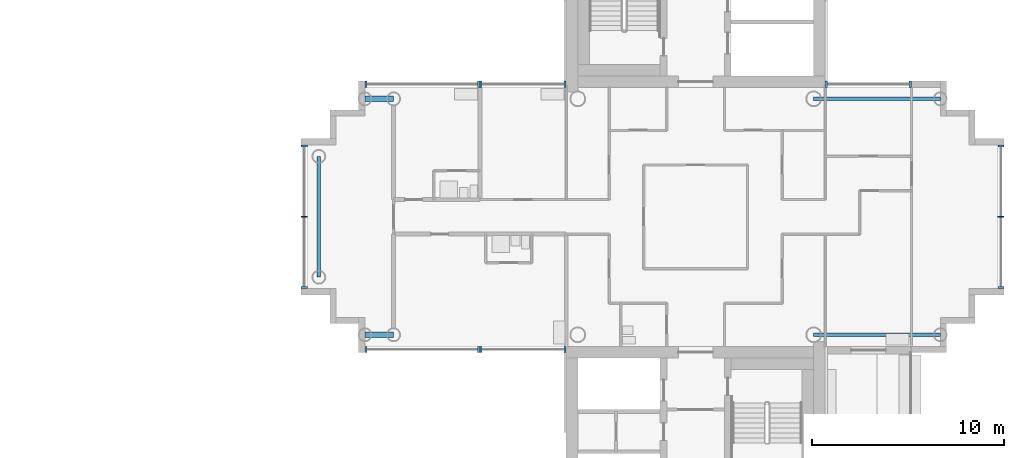
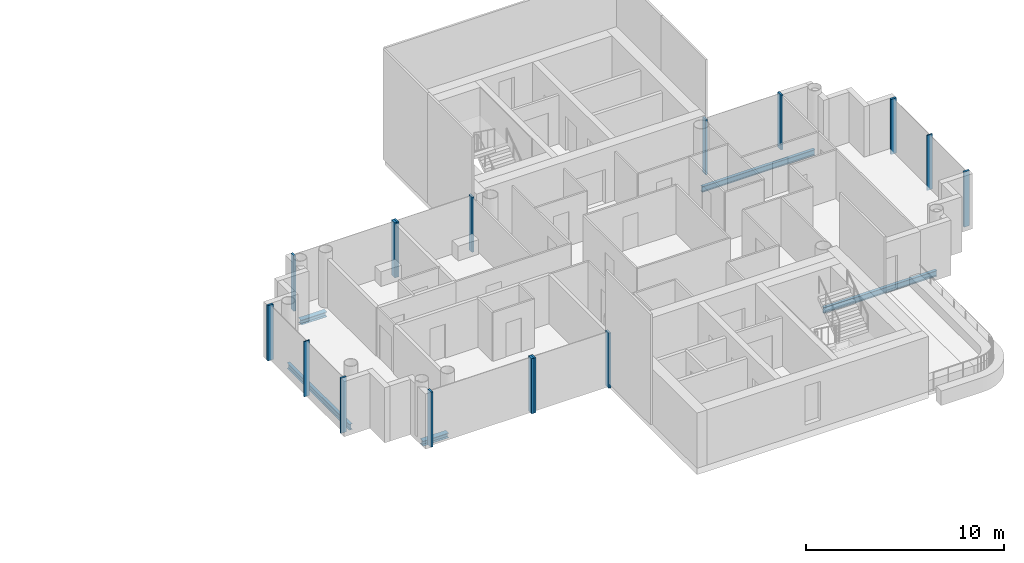
# One storey, part 4 of 18: 16 members, 5 beams, 7 elements without a shape of their own.
"""IFC4 building model written with IfcOpenShell, lengths in metres."""

from ifc_helpers import new_model, si_unit, direction, frame, origin, origin_2d, place, context, subcontext, project, spatial, rectangle, i_section, extrude, material, layer, layer_set, material_profile, profile_set, type_object, element, aggregate, save


model = new_model("IFC4")

# Units and contexts
model_context = context("Model", 3, precision=1e-05, world=origin(), true_north=direction((0.0, 1.0)))
body_context = subcontext(model_context, "Body", "Model", "MODEL_VIEW")
ifc_project = project(units=[si_unit("LENGTHUNIT", "METRE"), si_unit("AREAUNIT", "SQUARE_METRE"), si_unit("VOLUMEUNIT", "CUBIC_METRE"), si_unit("PLANEANGLEUNIT", "RADIAN"), si_unit("MASSUNIT", "GRAM", prefix="KILO")], contexts=[model_context])

# Site, building, storey
site_placement = place(None, origin())
site = spatial("IfcSite", under=ifc_project, at=site_placement, CompositionType="ELEMENT")
building_placement = place(site_placement, origin())
building = spatial("IfcBuilding", under=site, at=building_placement, Name="Ipe Terrace Towers", CompositionType="ELEMENT")
storey_placement = place(building_placement, frame((0.0, 0.0, 213.0)))
storey = spatial("IfcBuildingStorey", under=building, at=storey_placement, Name="L59", CompositionType="ELEMENT", Elevation=213.0)

# Beams
ifc_material_1 = material(Name="Steel S355", Category="steel")
ifc_material_profile_1 = material_profile(ifc_material_1, i_section(OverallWidth=0.300048828125, OverallDepth=0.300048828125, WebThickness=0.010009765625, FlangeThickness=0.014892578125, at=origin_2d()), Name="H-300x300x10x15")
ifc_profile_set_1 = profile_set([ifc_material_profile_1], Name="Steel S355")
beam_type_1 = type_object("IfcBeamType", Name="H03 EDGE BEAM H-300x300x10x15", PredefinedType="BEAM", material=ifc_profile_set_1)
for number, where, z_axis, x_axis, name in (
    (1, (20.25, 6.14990234375, -0.550048828125), (-1.0, 0.0, 0.0), (0.0, -1.0, 0.0), "Edge beam T2-EB-B03-B05"),
    (2, (20.25, -6.14990234375, -0.550048828125), (-1.0, 0.0, 0.0), (0.0, -1.0, 0.0), "Edge beam T2-EB-B04-B06"),
):
    element("IfcBeam", number, at=place(storey_placement, frame(where, z_axis=z_axis, x_axis=x_axis)), inside=storey, type_object=beam_type_1, Name=name, PredefinedType="BEAM", context=body_context, shape_type="SweptSolid", body=[
        extrude(i_section(OverallWidth=0.300048828125, OverallDepth=0.300048828125, WebThickness=0.010009765625, FlangeThickness=0.014892578125, at=origin_2d()), origin(), (0.0, 0.0, 1.0), 1.5),
    ])
ifc_material_2 = material(Name="Steel S355", Category="steel")
ifc_material_profile_2 = material_profile(ifc_material_2, i_section(OverallWidth=0.175048828125, OverallDepth=0.35009765625, WebThickness=0.007080078125, FlangeThickness=0.010986328125, at=origin_2d()), Name="H-350x175x7x11")
ifc_profile_set_2 = profile_set([ifc_material_profile_2], Name="Steel S355")
beam_type_2 = type_object("IfcBeamType", Name="H04 EDGE BEAM H-350x175x7x11", PredefinedType="BEAM", material=ifc_profile_set_2)
beam_placement = place(storey_placement, frame((16.35009765625, 3.14990234375, -0.574951171875), z_axis=(0.0, -1.0, 0.0), x_axis=(1.0, 0.0, 0.0)))
element("IfcBeam", 3, at=beam_placement, inside=storey, type_object=beam_type_2, Name="Edge beam T2-EB-B07-B08", PredefinedType="BEAM", context=body_context, shape_type="SweptSolid", body=[
    extrude(i_section(OverallWidth=0.175048828125, OverallDepth=0.35009765625, WebThickness=0.007080078125, FlangeThickness=0.010986328125, at=origin_2d()), origin(), (0.0, 0.0, 1.0), 6.2998046875),
])
for number, where, z_axis, x_axis, name in (
    (4, (48.75, -6.14990234375, -0.574951171875), (-1.0, 0.0, 0.0), (0.0, -1.0, 0.0), "Edge beam T2-EB-D01-E01"),
    (5, (48.75, 6.14990234375, -0.574951171875), (-1.0, 0.0, 0.0), (0.0, -1.0, 0.0), "Edge beam T2-EB-D02-E02"),
):
    element("IfcBeam", number, at=place(storey_placement, frame(where, z_axis=z_axis, x_axis=x_axis)), inside=storey, type_object=beam_type_2, Name=name, PredefinedType="BEAM", context=body_context, shape_type="SweptSolid", body=[
        extrude(i_section(OverallWidth=0.175048828125, OverallDepth=0.35009765625, WebThickness=0.007080078125, FlangeThickness=0.010986328125, at=origin_2d()), origin(), (0.0, 0.0, 1.0), 6.60009765625),
    ])

# Curtain wall, members
ifc_material_3 = material(Name="Aluminium alloy 6063-T6", Category="aluminium")
ifc_layer = layer(ifc_material_3, 0.320068359375)
ifc_layer_set = layer_set([ifc_layer], Name="TOWER UNITISED CURTAIN WALL")
curtain_wall_type = type_object("IfcCurtainWallType", Name="TOWER UNITISED CURTAIN WALL", PredefinedType="NOTDEFINED", material=ifc_layer_set)
curtain_wall_1_placement = place(storey_placement, origin())
curtain_wall_1 = element("IfcCurtainWall", 6, at=curtain_wall_1_placement, inside=storey, type_object=curtain_wall_type, Name="T2-CW-L59-08a curtain wall", PredefinedType="NOTDEFINED")
ifc_material_4 = material(Name="Aluminium alloy 6063-T6", Category="aluminium")
ifc_material_profile_3 = material_profile(ifc_material_4, rectangle(XDim=0.320068359375, YDim=0.1201171875, at=origin_2d()), Name="TOWER UNITISED CORNER MULLION 320 x 120")
ifc_profile_set_3 = profile_set([ifc_material_profile_3], Name="Aluminium alloy 6063-T6")
member_type_1 = type_object("IfcMemberType", Name="TOWER UNITISED CORNER MULLION 320 x 120", PredefinedType="MULLION", material=ifc_profile_set_3)
member_1_placement = place(storey_placement, frame((51.909912109375, -3.68994140625, -0.300048828125), z_axis=(0.0, 0.0, 1.0), x_axis=(1.0, 0.0, 0.0)))
member_1 = element("IfcMember", 7, at=member_1_placement, type_object=member_type_1, Name="T2-CW-L59-08a mullion 1", PredefinedType="MULLION", context=body_context, shape_type="SweptSolid", body=[
    extrude(rectangle(XDim=0.320068359375, YDim=0.1201171875, at=origin_2d()), origin(), (0.0, 0.0, 1.0), 3.400146484375),
])
member_2_placement = place(storey_placement, frame((51.909912109375, 3.68994140625, -0.300048828125), z_axis=(0.0, 0.0, 1.0), x_axis=(1.0, 0.0, 0.0)))
member_2 = element("IfcMember", 8, at=member_2_placement, type_object=member_type_1, Name="T2-CW-L59-08a mullion 3", PredefinedType="MULLION", context=body_context, shape_type="SweptSolid", body=[
    extrude(rectangle(XDim=0.320068359375, YDim=0.1201171875, at=origin_2d()), origin(), (0.0, 0.0, 1.0), 3.400146484375),
])

curtain_wall_2_placement = place(storey_placement, origin())
curtain_wall_2 = element("IfcCurtainWall", 9, at=curtain_wall_2_placement, inside=storey, type_object=curtain_wall_type, Name="T2-CW-L59-14a curtain wall", PredefinedType="NOTDEFINED")
member_3_placement = place(storey_placement, frame((47.18994140625, 6.909912109375, -0.300048828125), z_axis=(0.0, 0.0, 1.0), x_axis=(0.0, 1.0, 0.0)))
member_3 = element("IfcMember", 10, at=member_3_placement, type_object=member_type_1, Name="T2-CW-L59-14a mullion 1", PredefinedType="MULLION", context=body_context, shape_type="SweptSolid", body=[
    extrude(rectangle(XDim=0.320068359375, YDim=0.1201171875, at=origin_2d()), origin(), (0.0, 0.0, 1.0), 3.400146484375),
])
member_4_placement = place(storey_placement, frame((42.81005859375, 6.909912109375, -0.300048828125), z_axis=(0.0, 0.0, 1.0), x_axis=(0.0, 1.0, 0.0)))
member_4 = element("IfcMember", 11, at=member_4_placement, type_object=member_type_1, Name="T2-CW-L59-14a mullion 2", PredefinedType="MULLION", context=body_context, shape_type="SweptSolid", body=[
    extrude(rectangle(XDim=0.320068359375, YDim=0.1201171875, at=origin_2d()), origin(), (0.0, 0.0, 1.0), 3.400146484375),
])
aggregate(curtain_wall_2, [member_3, member_4])

curtain_wall_3_placement = place(storey_placement, origin())
curtain_wall_3 = element("IfcCurtainWall", 12, at=curtain_wall_3_placement, inside=storey, type_object=curtain_wall_type, Name="T2-CW-L59-20a curtain wall", PredefinedType="NOTDEFINED")
member_5_placement = place(storey_placement, frame((29.18994140625, 6.909912109375, -0.300048828125), z_axis=(0.0, 0.0, 1.0), x_axis=(0.0, 1.0, 0.0)))
member_5 = element("IfcMember", 13, at=member_5_placement, type_object=member_type_1, Name="T2-CW-L59-20a mullion 1", PredefinedType="MULLION", context=body_context, shape_type="SweptSolid", body=[
    extrude(rectangle(XDim=0.320068359375, YDim=0.1201171875, at=origin_2d()), origin(), (0.0, 0.0, 1.0), 3.400146484375),
])
member_6_placement = place(storey_placement, frame((24.81005859375, 6.909912109375, -0.300048828125), z_axis=(0.0, 0.0, 1.0), x_axis=(0.0, 1.0, 0.0)))
member_6 = element("IfcMember", 14, at=member_6_placement, type_object=member_type_1, Name="T2-CW-L59-20a mullion 2", PredefinedType="MULLION", context=body_context, shape_type="SweptSolid", body=[
    extrude(rectangle(XDim=0.320068359375, YDim=0.1201171875, at=origin_2d()), origin(), (0.0, 0.0, 1.0), 3.400146484375),
])
aggregate(curtain_wall_3, [member_5, member_6])

curtain_wall_4_placement = place(storey_placement, origin())
curtain_wall_4 = element("IfcCurtainWall", 15, at=curtain_wall_4_placement, inside=storey, type_object=curtain_wall_type, Name="T2-CW-L59-21a curtain wall", PredefinedType="NOTDEFINED")
member_7_placement = place(storey_placement, frame((24.68994140625, 6.909912109375, -0.300048828125), z_axis=(0.0, 0.0, 1.0), x_axis=(0.0, 1.0, 0.0)))
member_7 = element("IfcMember", 16, at=member_7_placement, type_object=member_type_1, Name="T2-CW-L59-21a mullion 1", PredefinedType="MULLION", context=body_context, shape_type="SweptSolid", body=[
    extrude(rectangle(XDim=0.320068359375, YDim=0.1201171875, at=origin_2d()), origin(), (0.0, 0.0, 1.0), 3.400146484375),
])
member_8_placement = place(storey_placement, frame((18.81005859375, 6.909912109375, -0.300048828125), z_axis=(0.0, 0.0, 1.0), x_axis=(0.0, 1.0, 0.0)))
member_8 = element("IfcMember", 17, at=member_8_placement, type_object=member_type_1, Name="T2-CW-L59-21a mullion 2", PredefinedType="MULLION", context=body_context, shape_type="SweptSolid", body=[
    extrude(rectangle(XDim=0.320068359375, YDim=0.1201171875, at=origin_2d()), origin(), (0.0, 0.0, 1.0), 3.400146484375),
])
aggregate(curtain_wall_4, [member_7, member_8])

curtain_wall_5_placement = place(storey_placement, origin())
curtain_wall_5 = element("IfcCurtainWall", 18, at=curtain_wall_5_placement, inside=storey, type_object=curtain_wall_type, Name="T2-CW-L59-26a curtain wall", PredefinedType="NOTDEFINED")
member_9_placement = place(storey_placement, frame((15.590087890625, 3.68994140625, -0.300048828125), z_axis=(0.0, 0.0, 1.0), x_axis=(-1.0, 0.0, 0.0)))
member_9 = element("IfcMember", 19, at=member_9_placement, type_object=member_type_1, Name="T2-CW-L59-26a mullion 1", PredefinedType="MULLION", context=body_context, shape_type="SweptSolid", body=[
    extrude(rectangle(XDim=0.320068359375, YDim=0.1201171875, at=origin_2d()), origin(), (0.0, 0.0, 1.0), 3.400146484375),
])
member_10_placement = place(storey_placement, frame((15.590087890625, -3.68994140625, -0.300048828125), z_axis=(0.0, 0.0, 1.0), x_axis=(-1.0, 0.0, 0.0)))
member_10 = element("IfcMember", 20, at=member_10_placement, type_object=member_type_1, Name="T2-CW-L59-26a mullion 3", PredefinedType="MULLION", context=body_context, shape_type="SweptSolid", body=[
    extrude(rectangle(XDim=0.320068359375, YDim=0.1201171875, at=origin_2d()), origin(), (0.0, 0.0, 1.0), 3.400146484375),
])

curtain_wall_6_placement = place(storey_placement, origin())
curtain_wall_6 = element("IfcCurtainWall", 21, at=curtain_wall_6_placement, inside=storey, type_object=curtain_wall_type, Name="T2-CW-L59-31a curtain wall", PredefinedType="NOTDEFINED")
member_11_placement = place(storey_placement, frame((18.81005859375, -6.909912109375, -0.300048828125), z_axis=(0.0, 0.0, 1.0), x_axis=(0.0, -1.0, 0.0)))
member_11 = element("IfcMember", 22, at=member_11_placement, type_object=member_type_1, Name="T2-CW-L59-31a mullion 1", PredefinedType="MULLION", context=body_context, shape_type="SweptSolid", body=[
    extrude(rectangle(XDim=0.320068359375, YDim=0.1201171875, at=origin_2d()), origin(), (0.0, 0.0, 1.0), 3.400146484375),
])
member_12_placement = place(storey_placement, frame((24.68994140625, -6.909912109375, -0.300048828125), z_axis=(0.0, 0.0, 1.0), x_axis=(0.0, -1.0, 0.0)))
member_12 = element("IfcMember", 23, at=member_12_placement, type_object=member_type_1, Name="T2-CW-L59-31a mullion 2", PredefinedType="MULLION", context=body_context, shape_type="SweptSolid", body=[
    extrude(rectangle(XDim=0.320068359375, YDim=0.1201171875, at=origin_2d()), origin(), (0.0, 0.0, 1.0), 3.400146484375),
])
aggregate(curtain_wall_6, [member_11, member_12])

curtain_wall_7_placement = place(storey_placement, origin())
curtain_wall_7 = element("IfcCurtainWall", 24, at=curtain_wall_7_placement, inside=storey, type_object=curtain_wall_type, Name="T2-CW-L59-32a curtain wall", PredefinedType="NOTDEFINED")
member_13_placement = place(storey_placement, frame((24.81005859375, -6.909912109375, -0.300048828125), z_axis=(0.0, 0.0, 1.0), x_axis=(0.0, -1.0, 0.0)))
member_13 = element("IfcMember", 25, at=member_13_placement, type_object=member_type_1, Name="T2-CW-L59-32a mullion 1", PredefinedType="MULLION", context=body_context, shape_type="SweptSolid", body=[
    extrude(rectangle(XDim=0.320068359375, YDim=0.1201171875, at=origin_2d()), origin(), (0.0, 0.0, 1.0), 3.400146484375),
])
member_14_placement = place(storey_placement, frame((29.18994140625, -6.909912109375, -0.300048828125), z_axis=(0.0, 0.0, 1.0), x_axis=(0.0, -1.0, 0.0)))
member_14 = element("IfcMember", 26, at=member_14_placement, type_object=member_type_1, Name="T2-CW-L59-32a mullion 2", PredefinedType="MULLION", context=body_context, shape_type="SweptSolid", body=[
    extrude(rectangle(XDim=0.320068359375, YDim=0.1201171875, at=origin_2d()), origin(), (0.0, 0.0, 1.0), 3.400146484375),
])
aggregate(curtain_wall_7, [member_13, member_14])

# Member
ifc_material_5 = material(Name="Aluminium alloy 6063-T6", Category="aluminium")
ifc_material_profile_4 = material_profile(ifc_material_5, rectangle(XDim=0.320068359375, YDim=0.06494140625, at=origin_2d()), Name="TOWER UNITISED MULLION 320 x 65")
ifc_profile_set_4 = profile_set([ifc_material_profile_4], Name="Aluminium alloy 6063-T6")
member_type_2 = type_object("IfcMemberType", Name="TOWER UNITISED MULLION 320 x 65", PredefinedType="MULLION", material=ifc_profile_set_4)
member_15_placement = place(storey_placement, frame((51.909912109375, 0.0, -0.300048828125), z_axis=(0.0, 0.0, 1.0), x_axis=(1.0, 0.0, 0.0)))
member_15 = element("IfcMember", 27, at=member_15_placement, type_object=member_type_2, Name="T2-CW-L59-08a mullion 2", PredefinedType="MULLION", context=body_context, shape_type="SweptSolid", body=[
    extrude(rectangle(XDim=0.320068359375, YDim=0.06494140625, at=origin_2d()), origin(), (0.0, 0.0, 1.0), 3.400146484375),
])

aggregate(curtain_wall_1, [member_1, member_15, member_2])

member_16_placement = place(storey_placement, frame((15.590087890625, 0.0, -0.300048828125), z_axis=(0.0, 0.0, 1.0), x_axis=(-1.0, 0.0, 0.0)))
member_16 = element("IfcMember", 28, at=member_16_placement, type_object=member_type_2, Name="T2-CW-L59-26a mullion 2", PredefinedType="MULLION", context=body_context, shape_type="SweptSolid", body=[
    extrude(rectangle(XDim=0.320068359375, YDim=0.06494140625, at=origin_2d()), origin(), (0.0, 0.0, 1.0), 3.400146484375),
])

aggregate(curtain_wall_5, [member_9, member_16, member_10])

save(model, "model.ifc")
